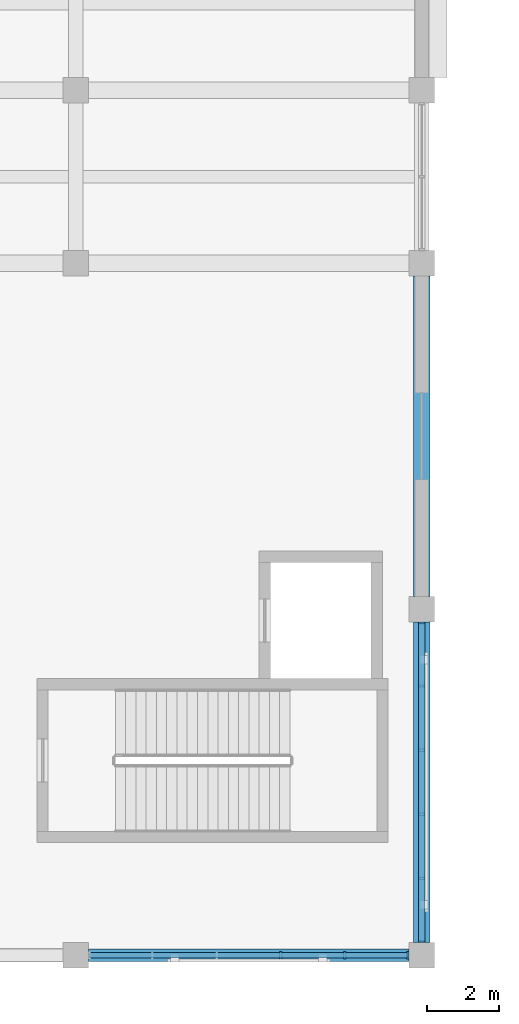
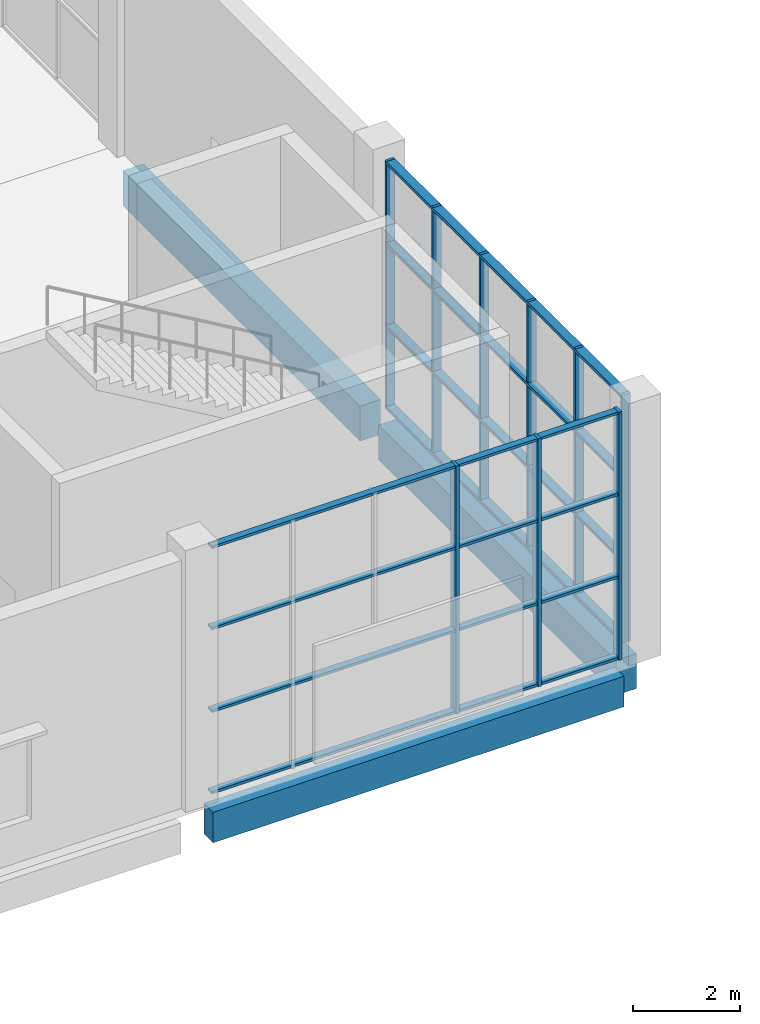
# One storey, part 12 of 84: 17 members, 3 beams, 2 elements without a shape of their own.
"""IFC4 building model written with IfcOpenShell, lengths in metres."""

from ifc_helpers import new_model, si_unit, direction, frame, origin, origin_2d, place, context, subcontext, project, spatial, rectangle, extrude, material, material_profile, profile_set, type_object, element, aggregate, save


model = new_model("IFC4")

# Units and contexts
model_context = context("Model", 3, precision=1e-05, world=origin(), true_north=direction((0.0, 1.0)))
body_context = subcontext(model_context, "Body", "Model", "MODEL_VIEW")
ifc_project = project(units=[si_unit("LENGTHUNIT", "METRE"), si_unit("AREAUNIT", "SQUARE_METRE"), si_unit("VOLUMEUNIT", "CUBIC_METRE"), si_unit("PLANEANGLEUNIT", "RADIAN"), si_unit("MASSUNIT", "GRAM", prefix="KILO")], contexts=[model_context])

# Site, building, storey
site_placement = place(None, origin())
site = spatial("IfcSite", under=ifc_project, at=site_placement, CompositionType="ELEMENT")
building_placement = place(site_placement, origin())
building = spatial("IfcBuilding", under=site, at=building_placement, Name="Shalvenor Court Art Gallery", CompositionType="ELEMENT")
storey_placement = place(building_placement, origin())
storey = spatial("IfcBuildingStorey", under=building, at=storey_placement, Name="L00", CompositionType="ELEMENT", Elevation=0.0)

# Beams
ifc_material_1 = material(Name="Concrete C40/50", Category="concrete")
ifc_material_profile_1 = material_profile(ifc_material_1, rectangle(XDim=0.449951171875, YDim=0.800048828125, at=origin_2d()), Name="RC 450x800")
ifc_profile_set_1 = profile_set([ifc_material_profile_1], Name="Concrete C40/50")
beam_type_1 = type_object("IfcBeamType", Name="B-03", PredefinedType="BEAM", material=ifc_profile_set_1)
beam_1_placement = place(storey_placement, frame((124.800048828125, 0.35009765625, -0.739990234375), z_axis=(0.0, 1.0, 0.0), x_axis=(-1.0, 0.0, 0.0)))
element("IfcBeam", 1, at=beam_1_placement, inside=storey, type_object=beam_type_1, Name="L00 Girder BM-L00-B-03-0096", PredefinedType="BEAM", context=body_context, shape_type="SweptSolid", body=[
    extrude(rectangle(XDim=0.449951171875, YDim=0.800048828125, at=origin_2d()), origin(), (0.0, 0.0, 1.0), 8.89990234375),
])
beam_2_placement = place(storey_placement, frame((124.800048828125, 9.949951171875, -0.739990234375), z_axis=(0.0, 1.0, 0.0), x_axis=(-1.0, 0.0, 0.0)))
element("IfcBeam", 2, at=beam_2_placement, inside=storey, type_object=beam_type_1, Name="L00 Girder BM-L00-B-03-0097", PredefinedType="BEAM", context=body_context, shape_type="SweptSolid", body=[
    extrude(rectangle(XDim=0.449951171875, YDim=0.800048828125, at=origin_2d()), origin(), (0.0, 0.0, 1.0), 8.900146484375),
])

# Curtain wall, members
ifc_material_2 = material(Name="Anodised aluminium and low-iron glass curtain wall", Category="aluminium")
curtain_wall_type_1 = type_object("IfcCurtainWallType", Name="CW-5x3-89-57-142", PredefinedType="USERDEFINED", material=ifc_material_2)
curtain_wall_1_placement = place(storey_placement, origin())
curtain_wall_1 = element("IfcCurtainWall", 3, at=curtain_wall_1_placement, inside=storey, type_object=curtain_wall_type_1, Name="L00 V3 Curtain Wall CW-L00-092", ObjectType="CURTAIN WALL", PredefinedType="USERDEFINED")
ifc_material_3 = material(Name="Anodised aluminium mullion", Category="aluminium")
ifc_material_profile_2 = material_profile(ifc_material_3, rectangle(XDim=0.06494140625, YDim=0.179931640625, at=origin_2d()), Name="CWM-01")
ifc_profile_set_2 = profile_set([ifc_material_profile_2], Name="Anodised aluminium mullion")
member_type_1 = type_object("IfcMemberType", Name="CWM-01", PredefinedType="MULLION", material=ifc_profile_set_2)
member_1_placement = place(storey_placement, frame((124.800048828125, 9.217529296875, 0.0), z_axis=(0.0, 0.0, 1.0), x_axis=(0.0, -1.0, 0.0)))
member_1 = element("IfcMember", 4, at=member_1_placement, type_object=member_type_1, Name="CW-5x3-89-57-142 mullion 1", PredefinedType="MULLION", context=body_context, shape_type="SweptSolid", body=[
    extrude(rectangle(XDim=0.06494140625, YDim=0.179931640625, at=origin_2d()), origin(), (0.0, 0.0, 1.0), 5.679931640625),
])
member_2_placement = place(storey_placement, frame((124.800048828125, 7.469970703125, 0.0), z_axis=(0.0, 0.0, 1.0), x_axis=(0.0, -1.0, 0.0)))
member_2 = element("IfcMember", 5, at=member_2_placement, type_object=member_type_1, Name="CW-5x3-89-57-142 mullion 2", PredefinedType="MULLION", context=body_context, shape_type="SweptSolid", body=[
    extrude(rectangle(XDim=0.06494140625, YDim=0.179931640625, at=origin_2d()), origin(), (0.0, 0.0, 1.0), 5.679931640625),
])
member_3_placement = place(storey_placement, frame((124.800048828125, 5.68994140625, 0.0), z_axis=(0.0, 0.0, 1.0), x_axis=(0.0, -1.0, 0.0)))
member_3 = element("IfcMember", 6, at=member_3_placement, type_object=member_type_1, Name="CW-5x3-89-57-142 mullion 3", PredefinedType="MULLION", context=body_context, shape_type="SweptSolid", body=[
    extrude(rectangle(XDim=0.06494140625, YDim=0.179931640625, at=origin_2d()), origin(), (0.0, 0.0, 1.0), 5.679931640625),
])
member_4_placement = place(storey_placement, frame((124.800048828125, 3.909912109375, 0.0), z_axis=(0.0, 0.0, 1.0), x_axis=(0.0, -1.0, 0.0)))
member_4 = element("IfcMember", 7, at=member_4_placement, type_object=member_type_1, Name="CW-5x3-89-57-142 mullion 4", PredefinedType="MULLION", context=body_context, shape_type="SweptSolid", body=[
    extrude(rectangle(XDim=0.06494140625, YDim=0.179931640625, at=origin_2d()), origin(), (0.0, 0.0, 1.0), 5.679931640625),
])
member_5_placement = place(storey_placement, frame((124.800048828125, 2.1298828125, 0.0), z_axis=(0.0, 0.0, 1.0), x_axis=(0.0, -1.0, 0.0)))
member_5 = element("IfcMember", 8, at=member_5_placement, type_object=member_type_1, Name="CW-5x3-89-57-142 mullion 5", PredefinedType="MULLION", context=body_context, shape_type="SweptSolid", body=[
    extrude(rectangle(XDim=0.06494140625, YDim=0.179931640625, at=origin_2d()), origin(), (0.0, 0.0, 1.0), 5.679931640625),
])
member_6_placement = place(storey_placement, frame((124.800048828125, 0.382568359375, 0.0), z_axis=(0.0, 0.0, 1.0), x_axis=(0.0, -1.0, 0.0)))
member_6 = element("IfcMember", 9, at=member_6_placement, type_object=member_type_1, Name="CW-5x3-89-57-142 mullion 6", PredefinedType="MULLION", context=body_context, shape_type="SweptSolid", body=[
    extrude(rectangle(XDim=0.06494140625, YDim=0.179931640625, at=origin_2d()), origin(), (0.0, 0.0, 1.0), 5.679931640625),
])

ifc_material_4 = material(Name="Anodised aluminium and low-iron glass curtain wall", Category="aluminium")
curtain_wall_type_2 = type_object("IfcCurtainWallType", Name="CW-5x3-89-57-212", PredefinedType="USERDEFINED", material=ifc_material_4)
curtain_wall_2_placement = place(storey_placement, origin())
curtain_wall_2 = element("IfcCurtainWall", 10, at=curtain_wall_2_placement, inside=storey, type_object=curtain_wall_type_2, Name="L00 V3 Curtain Wall CW-L00-093", ObjectType="CURTAIN WALL", PredefinedType="USERDEFINED")
ifc_material_5 = material(Name="Anodised aluminium mullion", Category="aluminium")
ifc_material_profile_3 = material_profile(ifc_material_5, rectangle(XDim=0.070068359375, YDim=0.199951171875, at=origin_2d()), Name="CWM-02")
ifc_profile_set_3 = profile_set([ifc_material_profile_3], Name="Anodised aluminium mullion")
member_type_2 = type_object("IfcMemberType", Name="CWM-02", PredefinedType="MULLION", material=ifc_profile_set_3)
member_7_placement = place(storey_placement, frame((124.4150390625, 0.0, 0.0), z_axis=(0.0, 0.0, 1.0), x_axis=(-1.0, 0.0, 0.0)))
member_7 = element("IfcMember", 11, at=member_7_placement, type_object=member_type_2, Name="CW-5x3-89-57-212 mullion 1", PredefinedType="MULLION", context=body_context, shape_type="SweptSolid", body=[
    extrude(rectangle(XDim=0.070068359375, YDim=0.199951171875, at=origin_2d()), origin(), (0.0, 0.0, 1.0), 5.679931640625),
])
member_8_placement = place(storey_placement, frame((122.669921875, 0.0, 0.0), z_axis=(0.0, 0.0, 1.0), x_axis=(-1.0, 0.0, 0.0)))
member_8 = element("IfcMember", 12, at=member_8_placement, type_object=member_type_2, Name="CW-5x3-89-57-212 mullion 2", PredefinedType="MULLION", context=body_context, shape_type="SweptSolid", body=[
    extrude(rectangle(XDim=0.070068359375, YDim=0.199951171875, at=origin_2d()), origin(), (0.0, 0.0, 1.0), 5.679931640625),
])
member_9_placement = place(storey_placement, frame((120.889892578125, 0.0, 0.0), z_axis=(0.0, 0.0, 1.0), x_axis=(-1.0, 0.0, 0.0)))
member_9 = element("IfcMember", 13, at=member_9_placement, type_object=member_type_2, Name="CW-5x3-89-57-212 mullion 3", PredefinedType="MULLION", context=body_context, shape_type="SweptSolid", body=[
    extrude(rectangle(XDim=0.070068359375, YDim=0.199951171875, at=origin_2d()), origin(), (0.0, 0.0, 1.0), 5.679931640625),
])
ifc_material_6 = material(Name="Anodised aluminium transom", Category="aluminium")
ifc_material_profile_4 = material_profile(ifc_material_6, rectangle(XDim=0.14990234375, YDim=0.06005859375, at=origin_2d()), Name="CWT-01")
ifc_profile_set_4 = profile_set([ifc_material_profile_4], Name="Anodised aluminium transom")
member_type_3 = type_object("IfcMemberType", Name="CWT-01", PredefinedType="USERDEFINED", material=ifc_profile_set_4)
member_10_placement = place(storey_placement, frame((124.4150390625, 0.0, 0.030029296875), z_axis=(-1.0, 0.0, 0.0), x_axis=(0.0, -1.0, 0.0)))
member_10 = element("IfcMember", 14, at=member_10_placement, type_object=member_type_3, Name="CW-5x3-89-57-212 transom 1", ObjectType="TRANSOM", PredefinedType="USERDEFINED", context=body_context, shape_type="SweptSolid", body=[
    extrude(rectangle(XDim=0.14990234375, YDim=0.06005859375, at=origin_2d()), origin(), (0.0, 0.0, 1.0), 8.830078125),
])
member_11_placement = place(storey_placement, frame((124.4150390625, 0.0, 1.893310546875), z_axis=(-1.0, 0.0, 0.0), x_axis=(0.0, -1.0, 0.0)))
member_11 = element("IfcMember", 15, at=member_11_placement, type_object=member_type_3, Name="CW-5x3-89-57-212 transom 2", ObjectType="TRANSOM", PredefinedType="USERDEFINED", context=body_context, shape_type="SweptSolid", body=[
    extrude(rectangle(XDim=0.14990234375, YDim=0.06005859375, at=origin_2d()), origin(), (0.0, 0.0, 1.0), 8.830078125),
])
member_12_placement = place(storey_placement, frame((124.4150390625, 0.0, 3.78662109375), z_axis=(-1.0, 0.0, 0.0), x_axis=(0.0, -1.0, 0.0)))
member_12 = element("IfcMember", 16, at=member_12_placement, type_object=member_type_3, Name="CW-5x3-89-57-212 transom 3", ObjectType="TRANSOM", PredefinedType="USERDEFINED", context=body_context, shape_type="SweptSolid", body=[
    extrude(rectangle(XDim=0.14990234375, YDim=0.06005859375, at=origin_2d()), origin(), (0.0, 0.0, 1.0), 8.830078125),
])
member_13_placement = place(storey_placement, frame((124.4150390625, 0.0, 5.64990234375), z_axis=(-1.0, 0.0, 0.0), x_axis=(0.0, -1.0, 0.0)))
member_13 = element("IfcMember", 17, at=member_13_placement, type_object=member_type_3, Name="CW-5x3-89-57-212 transom 4", ObjectType="TRANSOM", PredefinedType="USERDEFINED", context=body_context, shape_type="SweptSolid", body=[
    extrude(rectangle(XDim=0.14990234375, YDim=0.06005859375, at=origin_2d()), origin(), (0.0, 0.0, 1.0), 8.830078125),
])
aggregate(curtain_wall_2, [member_7, member_8, member_9, member_10, member_11, member_12, member_13])

# Member
ifc_material_7 = material(Name="Anodised aluminium transom", Category="aluminium")
ifc_material_profile_5 = material_profile(ifc_material_7, rectangle(XDim=0.18994140625, YDim=0.070068359375, at=origin_2d()), Name="CWT-04")
ifc_profile_set_5 = profile_set([ifc_material_profile_5], Name="Anodised aluminium transom")
member_type_4 = type_object("IfcMemberType", Name="CWT-04", PredefinedType="USERDEFINED", material=ifc_profile_set_5)
member_14_placement = place(storey_placement, frame((124.800048828125, 9.217529296875, 0.034912109375), z_axis=(0.0, -1.0, 0.0), x_axis=(1.0, 0.0, 0.0)))
member_14 = element("IfcMember", 18, at=member_14_placement, type_object=member_type_4, Name="CW-5x3-89-57-142 transom 1", ObjectType="TRANSOM", PredefinedType="USERDEFINED", context=body_context, shape_type="SweptSolid", body=[
    extrude(rectangle(XDim=0.18994140625, YDim=0.070068359375, at=origin_2d()), origin(), (0.0, 0.0, 1.0), 8.8349609375),
])

member_15_placement = place(storey_placement, frame((124.800048828125, 9.217529296875, 1.893310546875), z_axis=(0.0, -1.0, 0.0), x_axis=(1.0, 0.0, 0.0)))
member_15 = element("IfcMember", 19, at=member_15_placement, type_object=member_type_4, Name="CW-5x3-89-57-142 transom 2", ObjectType="TRANSOM", PredefinedType="USERDEFINED", context=body_context, shape_type="SweptSolid", body=[
    extrude(rectangle(XDim=0.18994140625, YDim=0.070068359375, at=origin_2d()), origin(), (0.0, 0.0, 1.0), 8.8349609375),
])

member_16_placement = place(storey_placement, frame((124.800048828125, 9.217529296875, 3.78662109375), z_axis=(0.0, -1.0, 0.0), x_axis=(1.0, 0.0, 0.0)))
member_16 = element("IfcMember", 20, at=member_16_placement, type_object=member_type_4, Name="CW-5x3-89-57-142 transom 3", ObjectType="TRANSOM", PredefinedType="USERDEFINED", context=body_context, shape_type="SweptSolid", body=[
    extrude(rectangle(XDim=0.18994140625, YDim=0.070068359375, at=origin_2d()), origin(), (0.0, 0.0, 1.0), 8.8349609375),
])

member_17_placement = place(storey_placement, frame((124.800048828125, 9.217529296875, 5.64501953125), z_axis=(0.0, -1.0, 0.0), x_axis=(1.0, 0.0, 0.0)))
member_17 = element("IfcMember", 21, at=member_17_placement, type_object=member_type_4, Name="CW-5x3-89-57-142 transom 4", ObjectType="TRANSOM", PredefinedType="USERDEFINED", context=body_context, shape_type="SweptSolid", body=[
    extrude(rectangle(XDim=0.18994140625, YDim=0.070068359375, at=origin_2d()), origin(), (0.0, 0.0, 1.0), 8.8349609375),
])

aggregate(curtain_wall_1, [member_1, member_2, member_3, member_4, member_5, member_6, member_14, member_15, member_16, member_17])

# Beam
ifc_material_8 = material(Name="Concrete C40/50", Category="concrete")
ifc_material_profile_6 = material_profile(ifc_material_8, rectangle(XDim=0.35009765625, YDim=0.699951171875, at=origin_2d()), Name="RC 350x700")
ifc_profile_set_6 = profile_set([ifc_material_profile_6], Name="Concrete C40/50")
beam_type_2 = type_object("IfcBeamType", Name="SP-01", PredefinedType="SPANDREL", material=ifc_profile_set_6)
beam_3_placement = place(storey_placement, frame((115.550048828125, 0.0, -0.68994140625), z_axis=(1.0, 0.0, 0.0), x_axis=(0.0, 1.0, 0.0)))
element("IfcBeam", 22, at=beam_3_placement, inside=storey, type_object=beam_type_2, Name="L00 Spandrel Girder BM-L00-SP-01-0148", PredefinedType="SPANDREL", context=body_context, shape_type="SweptSolid", body=[
    extrude(rectangle(XDim=0.35009765625, YDim=0.699951171875, at=origin_2d()), origin(), (0.0, 0.0, 1.0), 8.89990234375),
])

save(model, "model.ifc")
